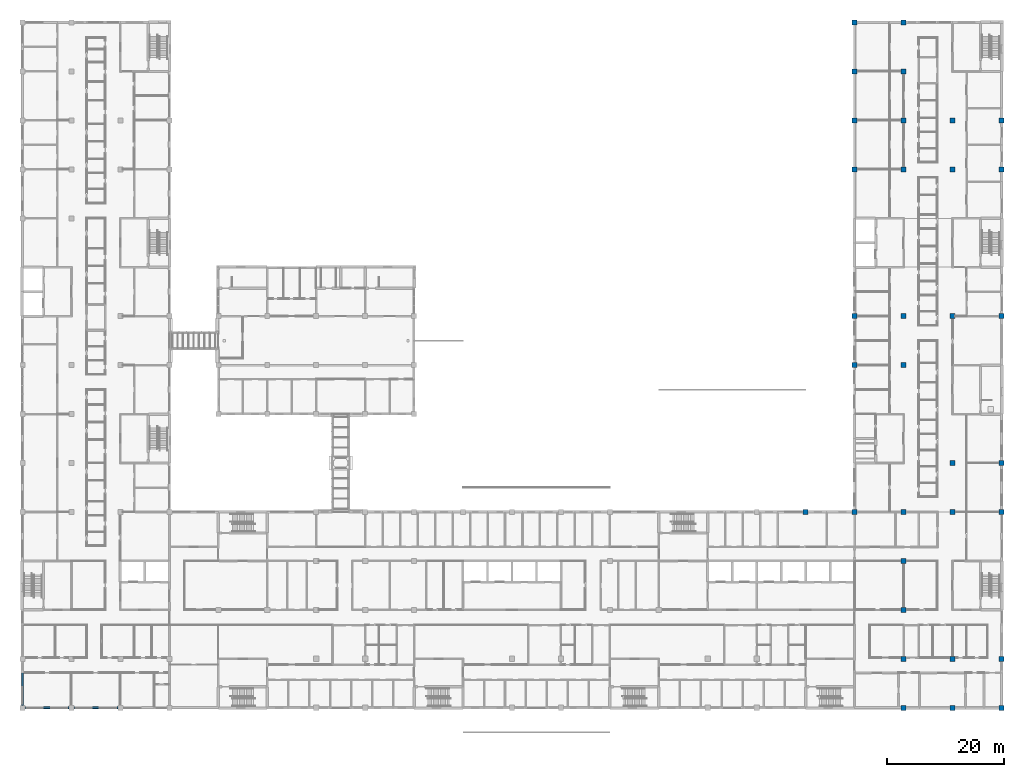
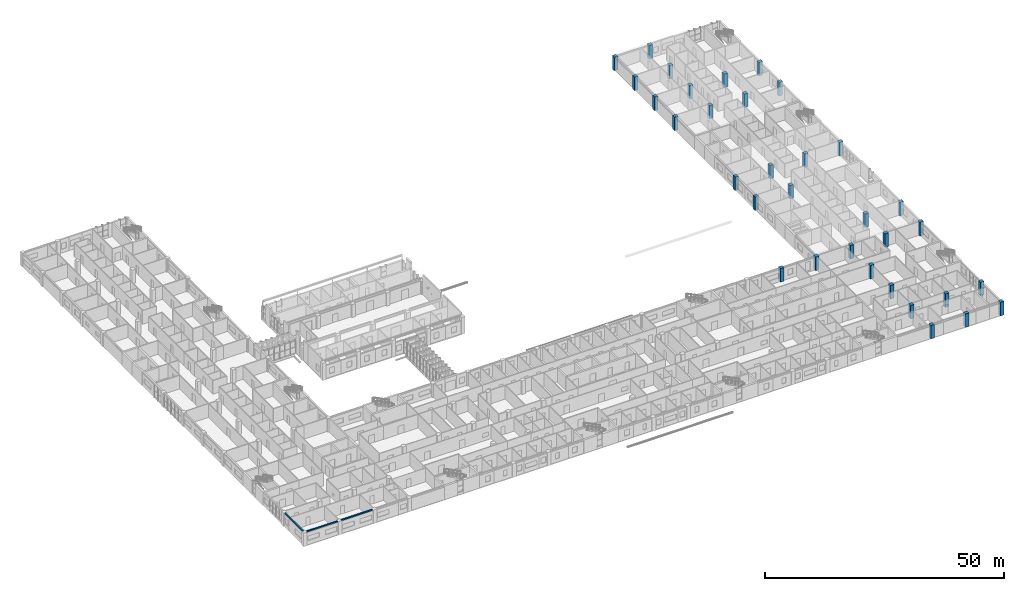
# One storey, part 12 of 94: 33 columns, 3 beams.
"""IFC4 building model written with IfcOpenShell, lengths in metres."""

from ifc_helpers import new_model, si_unit, direction, frame, origin, origin_2d, place, context, subcontext, project, spatial, rectangle, extrude, material, material_profile, profile_set, type_object, element, save


model = new_model("IFC4")

# Units and contexts
model_context = context("Model", 3, precision=1e-05, world=origin(), true_north=direction((0.0, 1.0)))
body_context = subcontext(model_context, "Body", "Model", "MODEL_VIEW")
ifc_project = project(units=[si_unit("LENGTHUNIT", "METRE"), si_unit("AREAUNIT", "SQUARE_METRE"), si_unit("VOLUMEUNIT", "CUBIC_METRE"), si_unit("PLANEANGLEUNIT", "RADIAN"), si_unit("MASSUNIT", "GRAM", prefix="KILO")], contexts=[model_context])

# Site, building, storey
site_placement = place(None, origin())
site = spatial("IfcSite", under=ifc_project, at=site_placement, CompositionType="ELEMENT")
building_placement = place(site_placement, origin())
building = spatial("IfcBuilding", under=site, at=building_placement, Name="Yavir Park General Hospital", CompositionType="ELEMENT")
storey_placement = place(building_placement, frame((0.0, 0.0, 4.5)))
storey = spatial("IfcBuildingStorey", under=building, at=storey_placement, Name="L01", CompositionType="ELEMENT", Elevation=4.5)

# Columns
ifc_material_1 = material(Name="Concrete C40/50", Category="concrete")
ifc_material_profile_1 = material_profile(ifc_material_1, rectangle(XDim=0.85009765625, YDim=0.85009765625, at=origin_2d()), Name="RC850x850")
ifc_profile_set_1 = profile_set([ifc_material_profile_1], Name="Concrete C40/50")
column_type = type_object("IfcColumnType", Name="RC COLUMN 850x850", PredefinedType="COLUMN", material=ifc_profile_set_1)
for number, where, z_axis, x_axis, name in (
    (1, (151.199951171875, 0.0, 0.0), (0.0, 0.0, 1.0), (1.0, 0.0, 0.0), "C:L01:19A"),
    (2, (159.60009765625, 0.0, 0.0), (0.0, 0.0, 1.0), (1.0, 0.0, 0.0), "C:L01:20A"),
    (3, (168.0, 0.0, 0.0), (0.0, 0.0, 1.0), (1.0, 0.0, 0.0), "C:L01:21A"),
    (4, (151.199951171875, 8.39990234375, 0.0), (0.0, 0.0, 1.0), (1.0, 0.0, 0.0), "C:L01:19B"),
    (5, (159.60009765625, 8.39990234375, 0.0), (0.0, 0.0, 1.0), (1.0, 0.0, 0.0), "C:L01:20B"),
    (6, (168.0, 8.39990234375, 0.0), (0.0, 0.0, 1.0), (1.0, 0.0, 0.0), "C:L01:21B"),
    (7, (151.199951171875, 16.800048828125, 0.0), (0.0, 0.0, 1.0), (1.0, 0.0, 0.0), "C:L01:19C"),
    (8, (151.199951171875, 25.199951171875, 0.0), (0.0, 0.0, 1.0), (1.0, 0.0, 0.0), "C:L01:19D"),
    (9, (134.39990234375, 33.60009765625, 0.0), (0.0, 0.0, 1.0), (1.0, 0.0, 0.0), "C:L01:17E"),
    (10, (142.800048828125, 33.60009765625, 0.0), (0.0, 0.0, 1.0), (1.0, 0.0, 0.0), "C:L01:18E"),
    (11, (151.199951171875, 33.60009765625, 0.0), (0.0, 0.0, 1.0), (1.0, 0.0, 0.0), "C:L01:19E"),
    (12, (159.60009765625, 33.60009765625, 0.0), (0.0, 0.0, 1.0), (1.0, 0.0, 0.0), "C:L01:20E"),
    (13, (168.0, 33.60009765625, 0.0), (0.0, 0.0, 1.0), (1.0, 0.0, 0.0), "C:L01:21E"),
    (14, (159.60009765625, 42.0, 0.0), (0.0, 0.0, 1.0), (1.0, 0.0, 0.0), "C:L01:20F"),
    (15, (168.0, 42.0, 0.0), (0.0, 0.0, 1.0), (1.0, 0.0, 0.0), "C:L01:21F"),
    (16, (142.800048828125, 58.800048828125, 0.0), (0.0, 0.0, 1.0), (1.0, 0.0, 0.0), "C:L01:18H"),
    (17, (151.199951171875, 58.800048828125, 0.0), (0.0, 0.0, 1.0), (1.0, 0.0, 0.0), "C:L01:19H"),
    (18, (142.800048828125, 67.199951171875, 0.0), (0.0, 0.0, 1.0), (1.0, 0.0, 0.0), "C:L01:18J"),
    (19, (151.199951171875, 67.199951171875, 0.0), (0.0, 0.0, 1.0), (1.0, 0.0, 0.0), "C:L01:19J"),
    (20, (159.60009765625, 67.199951171875, 0.0), (0.0, 0.0, 1.0), (1.0, 0.0, 0.0), "C:L01:20J"),
    (21, (168.0, 67.199951171875, 0.0), (0.0, 0.0, 1.0), (1.0, 0.0, 0.0), "C:L01:21J"),
    (22, (142.800048828125, 92.39990234375, 0.0), (0.0, 0.0, 1.0), (1.0, 0.0, 0.0), "C:L01:18M"),
    (23, (151.199951171875, 92.39990234375, 0.0), (0.0, 0.0, 1.0), (1.0, 0.0, 0.0), "C:L01:19M"),
    (24, (159.60009765625, 92.39990234375, 0.0), (0.0, 0.0, 1.0), (1.0, 0.0, 0.0), "C:L01:20M"),
    (25, (168.0, 92.39990234375, 0.0), (0.0, 0.0, 1.0), (1.0, 0.0, 0.0), "C:L01:21M"),
    (26, (142.800048828125, 100.800048828125, 0.0), (0.0, 0.0, 1.0), (1.0, 0.0, 0.0), "C:L01:18N"),
    (27, (151.199951171875, 100.800048828125, 0.0), (0.0, 0.0, 1.0), (1.0, 0.0, 0.0), "C:L01:19N"),
    (28, (159.60009765625, 100.800048828125, 0.0), (0.0, 0.0, 1.0), (1.0, 0.0, 0.0), "C:L01:20N"),
    (29, (168.0, 100.800048828125, 0.0), (0.0, 0.0, 1.0), (1.0, 0.0, 0.0), "C:L01:21N"),
    (30, (142.800048828125, 109.199951171875, 0.0), (0.0, 0.0, 1.0), (1.0, 0.0, 0.0), "C:L01:18P"),
    (31, (151.199951171875, 109.199951171875, 0.0), (0.0, 0.0, 1.0), (1.0, 0.0, 0.0), "C:L01:19P"),
    (32, (142.800048828125, 117.60009765625, 0.0), (0.0, 0.0, 1.0), (1.0, 0.0, 0.0), "C:L01:18Q"),
    (33, (151.199951171875, 117.60009765625, 0.0), (0.0, 0.0, 1.0), (1.0, 0.0, 0.0), "C:L01:19Q"),
):
    element("IfcColumn", number, at=place(storey_placement, frame(where, z_axis=z_axis, x_axis=x_axis)), inside=storey, type_object=column_type, Name=name, PredefinedType="COLUMN", context=body_context, shape_type="SweptSolid", body=[
        extrude(rectangle(XDim=0.85009765625, YDim=0.85009765625, at=origin_2d()), origin(), (0.0, 0.0, 1.0), 3.449951171875),
    ])

# Beams
ifc_material_2 = material(Name="Concrete C35/45", Category="concrete")
ifc_material_profile_2 = material_profile(ifc_material_2, rectangle(XDim=0.300048828125, YDim=0.300048828125, at=origin_2d()), Name="RC300x300")
ifc_profile_set_2 = profile_set([ifc_material_profile_2], Name="Concrete C35/45")
beam_type = type_object("IfcBeamType", Name="RC BEAM 300x300 edge beam", PredefinedType="BEAM", material=ifc_profile_set_2)
for number, where, z_axis, x_axis, name in (
    (34, (0.425048828125, 0.0, 3.300048828125), (1.0, 0.0, 0.0), (0.0, 1.0, 0.0), "B:EDGE:L01:001"),
    (35, (8.824951171875, 0.0, 3.300048828125), (1.0, 0.0, 0.0), (0.0, 1.0, 0.0), "B:EDGE:L01:002"),
    (36, (0.0, 0.425048828125, 3.300048828125), (0.0, 1.0, 0.0), (-1.0, 0.0, 0.0), "B:EDGE:L01:030"),
):
    element("IfcBeam", number, at=place(storey_placement, frame(where, z_axis=z_axis, x_axis=x_axis)), inside=storey, type_object=beam_type, Name=name, PredefinedType="BEAM", context=body_context, shape_type="SweptSolid", body=[
        extrude(rectangle(XDim=0.300048828125, YDim=0.300048828125, at=origin_2d()), origin(), (0.0, 0.0, 1.0), 7.550048828125),
    ])

save(model, "model.ifc")
